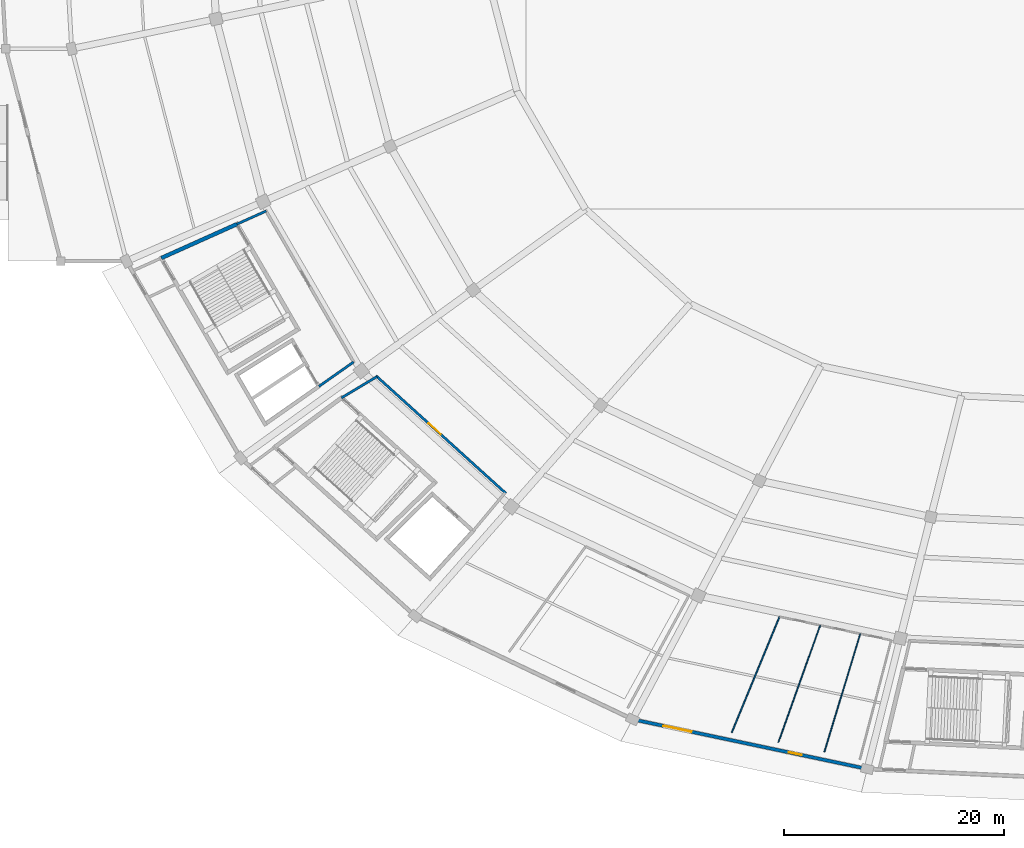
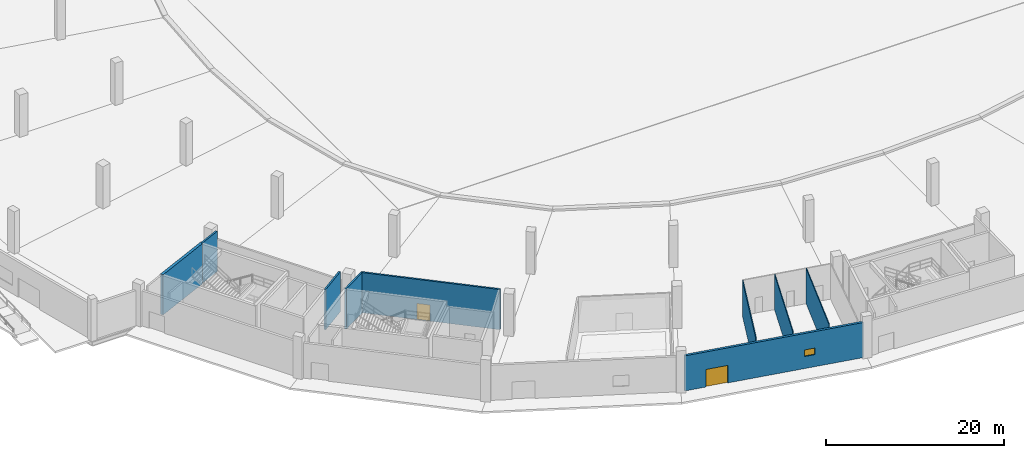
# One storey, part 10 of 48: 9 walls, 2 doors, 1 window, 3 openings.
"""IFC4 building model written with IfcOpenShell, lengths in metres."""

from ifc_helpers import new_model, si_unit, direction, frame, frame_2d, origin, place, context, subcontext, project, spatial, rectangle, extrude, material, layer, layer_set, type_object, element, fill, save


model = new_model("IFC4")

# Units and contexts
model_context = context("Model", 3, precision=1e-05, world=origin(), true_north=direction((0.0, 1.0)))
body_context = subcontext(model_context, "Body", "Model", "MODEL_VIEW")
ifc_project = project(units=[si_unit("LENGTHUNIT", "METRE"), si_unit("AREAUNIT", "SQUARE_METRE"), si_unit("VOLUMEUNIT", "CUBIC_METRE"), si_unit("PLANEANGLEUNIT", "RADIAN"), si_unit("MASSUNIT", "GRAM", prefix="KILO")], contexts=[model_context])

# Site, building, storey
site_placement = place(None, origin())
site = spatial("IfcSite", under=ifc_project, at=site_placement, CompositionType="ELEMENT")
building_placement = place(site_placement, origin())
building = spatial("IfcBuilding", under=site, at=building_placement, Name="Kazemori Nagisa Stadium", CompositionType="ELEMENT")
storey_placement = place(building_placement, origin())
storey = spatial("IfcBuildingStorey", under=building, at=storey_placement, Name="L00", CompositionType="ELEMENT", Elevation=0.0)

# Wall
ifc_material_1 = material(Name="Concrete C40/50 (Fc42)", Category="concrete")
ifc_layer_1 = layer(ifc_material_1, 0.35009765625, Name="Concrete C40/50 (Fc42)", Category="concrete")
ifc_layer_set_1 = layer_set([ifc_layer_1], Name="Concrete C40/50 (Fc42)")
wall_type_1 = type_object("IfcWallType", Name="Wall_W-CORE-350", PredefinedType="SHEAR", material=ifc_layer_set_1)
wall_1_placement = place(storey_placement, frame((44.177978515625, 66.63623046875, 0.0), z_axis=(0.0, 0.0, 1.0), x_axis=(-0.912385324524, -0.409332407212, 0.0)))
element("IfcWall", 1, at=wall_1_placement, inside=storey, type_object=wall_type_1, Name="Core stair left shear wall ST09 L00", PredefinedType="SHEAR", context=body_context, shape_type="SweptSolid", body=[
    extrude(rectangle(XDim=7.554443359375, YDim=0.35009765625, at=frame_2d((3.77734375, 0.0))), origin(), (0.0, 0.0, 1.0), 5.5),
])

# Wall, openings, door, window
ifc_material_2 = material(Name="Concrete C40/50 (Fc42) precast", Category="concrete")
ifc_layer_2 = layer(ifc_material_2, 0.300048828125, Name="Concrete C40/50 (Fc42) precast", Category="concrete")
ifc_layer_set_2 = layer_set([ifc_layer_2], Name="Concrete C40/50 (Fc42) precast")
wall_type_2 = type_object("IfcWallType", Name="Wall_W-EXT-300", PredefinedType="SOLIDWALL", material=ifc_layer_set_2)
wall_2_placement = place(storey_placement, frame((80.576904296875, 21.455078125, 0.0), z_axis=(0.0, 0.0, 1.0), x_axis=(0.978345100851, -0.206980346028, 0.0)))
wall_2 = element("IfcWall", 2, at=wall_2_placement, inside=storey, type_object=wall_type_2, Name="Ground exterior entrance wall L00-20", PredefinedType="SOLIDWALL", context=body_context, shape_type="SweptSolid", body=[
    extrude(rectangle(XDim=21.070068359375, YDim=0.300048828125, at=frame_2d((10.53515625, 0.0))), origin(), (0.0, 0.0, 1.0), 4.800048828125),
])
opening_1_placement = place(wall_2_placement, frame((2.492919921875, 0.0, 0.0)))
opening_1 = element("IfcOpeningElement", 3, at=opening_1_placement, cuts=wall_2, Name="Opening D-GATE-2600", PredefinedType="OPENING", context=body_context, shape_type="SweptSolid", body=[
    extrude(rectangle(XDim=2.60009765625, YDim=2.39990234375, at=frame_2d((1.300048828125, 1.199951171875))), frame((0.0, 0.159912109375, 0.0), z_axis=(0.0, -1.0, 0.0), x_axis=(1.0, 0.0, 0.0)), (0.0, 0.0, 1.0), 0.320068359375),
])
opening_2_placement = place(wall_2_placement, frame((14.14892578125, 0.0, 1.64990234375)))
opening_2 = element("IfcOpeningElement", 4, at=opening_2_placement, cuts=wall_2, Name="Opening WIN-WC-1200", PredefinedType="OPENING", context=body_context, shape_type="SweptSolid", body=[
    extrude(rectangle(XDim=1.199951171875, YDim=0.89990234375, at=frame_2d((0.60009765625, 0.449951171875))), frame((0.0, 0.159912109375, 0.0), z_axis=(0.0, -1.0, 0.0), x_axis=(1.0, 0.0, 0.0)), (0.0, 0.0, 1.0), 0.320068359375),
])
ifc_material_3 = material(Name="Anodised aluminium 6063-T5", Category="aluminium")
door_type_1 = type_object("IfcDoorType", Name="Door_D-GATE-2600", OperationType="NOTDEFINED", PredefinedType="DOOR", material=ifc_material_3)
door_1_placement = place(opening_1_placement, frame((2.60009765625, 0.0, 0.0), z_axis=(0.0, 0.0, 1.0), x_axis=(-1.0, 0.0, 0.0)))
door_1 = element("IfcDoor", 5, at=door_1_placement, inside=storey, type_object=door_type_1, Name="Pedestrian exit gate G6", OperationType="DOUBLE_DOOR_SINGLE_SWING", OverallHeight=2.39990234375, OverallWidth=2.60009765625, PredefinedType="DOOR", context=body_context, shape_type="SweptSolid", body=[
    extrude(rectangle(XDim=2.60009765625, YDim=2.39990234375, at=frame_2d((1.300048828125, 1.199951171875))), frame((0.0, 0.02490234375, 0.0), z_axis=(0.0, -1.0, 0.0), x_axis=(1.0, 0.0, 0.0)), (0.0, 0.0, 1.0), 0.050048828125),
])
fill(opening_1, door_1)
ifc_material_4 = material(Name="Low-e laminated double glazing", Category="glass")
window_type = type_object("IfcWindowType", Name="Window_WIN-WC-1200", PartitioningType="SINGLE_PANEL", PredefinedType="WINDOW", material=ifc_material_4)
window_placement = place(opening_2_placement, origin())
window = element("IfcWindow", 6, at=window_placement, inside=storey, type_object=window_type, Name="Sanitary clerestory window L00-20", OverallHeight=0.89990234375, OverallWidth=1.199951171875, PartitioningType="SINGLE_PANEL", PredefinedType="WINDOW", context=body_context, shape_type="SweptSolid", body=[
    extrude(rectangle(XDim=1.199951171875, YDim=0.89990234375, at=frame_2d((0.60009765625, 0.449951171875))), frame((0.0, 0.030029296875, 0.0), z_axis=(0.0, -1.0, 0.0), x_axis=(1.0, 0.0, 0.0)), (0.0, 0.0, 1.0), 0.06005859375),
])
fill(opening_2, window)

# Walls
ifc_material_5 = material(Name="Concrete C36/45 (Fc36)", Category="concrete")
ifc_layer_3 = layer(ifc_material_5, 0.219970703125, Name="Concrete C36/45 (Fc36)", Category="concrete")
ifc_layer_set_3 = layer_set([ifc_layer_3], Name="Concrete C36/45 (Fc36)")
wall_type_3 = type_object("IfcWallType", Name="Wall_W-LOBBY-220", PredefinedType="SOLIDWALL", material=ifc_layer_set_3)
wall_3_placement = place(storey_placement, frame((46.8291015625, 67.82568359375, 0.0), z_axis=(0.0, 0.0, 1.0), x_axis=(-0.912378422162, -0.409347791949, 0.0)))
element("IfcWall", 7, at=wall_3_placement, inside=storey, type_object=wall_type_3, Name="Core lobby left wall ST09 L00", PredefinedType="SOLIDWALL", context=body_context, shape_type="SweptSolid", body=[
    extrude(rectangle(XDim=2.90576171875, YDim=0.219970703125, at=frame_2d((1.452880859375, 0.0))), origin(), (0.0, 0.0, 1.0), 5.5),
])
wall_4_placement = place(storey_placement, frame((54.799560546875, 54.0791015625, 0.0), z_axis=(0.0, 0.0, 1.0), x_axis=(-0.818225400643, -0.574897550649, 0.0)))
element("IfcWall", 8, at=wall_4_placement, inside=storey, type_object=wall_type_3, Name="Core lobby right wall ST09 L00", PredefinedType="SOLIDWALL", context=body_context, shape_type="SweptSolid", body=[
    extrude(rectangle(XDim=3.867919921875, YDim=0.219970703125, at=frame_2d((1.93408203125, 0.0))), origin(), (0.0, 0.0, 1.0), 5.5),
])

# Wall, opening, door
wall_5_placement = place(storey_placement, frame((56.833740234375, 52.8193359375, 0.0), z_axis=(0.0, 0.0, 1.0), x_axis=(0.741351035574, -0.671117457717, 0.0)))
wall_5 = element("IfcWall", 9, at=wall_5_placement, inside=storey, type_object=wall_type_3, Name="Core lobby fire wall ST03 L00", PredefinedType="SOLIDWALL", context=body_context, shape_type="SweptSolid", body=[
    extrude(rectangle(XDim=15.96923828125, YDim=0.219970703125, at=frame_2d((7.984619140625, 0.0))), origin(), (0.0, 0.0, 1.0), 5.5),
])
opening_3_placement = place(wall_5_placement, frame((6.447021484375, 0.0, 0.0)))
opening_3 = element("IfcOpeningElement", 10, at=opening_3_placement, cuts=wall_5, Name="Opening D-FFL-1500", PredefinedType="OPENING", context=body_context, shape_type="SweptSolid", body=[
    extrude(rectangle(XDim=1.5, YDim=2.199951171875, at=frame_2d((0.75, 1.10009765625))), frame((0.0, 0.119873046875, 0.0), z_axis=(0.0, -1.0, 0.0), x_axis=(1.0, 0.0, 0.0)), (0.0, 0.0, 1.0), 0.239990234375),
])
ifc_material_6 = material(Name="Galvanised steel sheet", Category="steel")
door_type_2 = type_object("IfcDoorType", Name="Door_D-FFL-1500", OperationType="NOTDEFINED", PredefinedType="DOOR", material=ifc_material_6)
door_2_placement = place(opening_3_placement, origin())
door_2 = element("IfcDoor", 11, at=door_2_placement, inside=storey, type_object=door_type_2, Name="Protected lobby fire door ST03-L00", OperationType="DOUBLE_DOOR_SINGLE_SWING", OverallHeight=2.199951171875, OverallWidth=1.5, PredefinedType="DOOR", context=body_context, shape_type="SweptSolid", body=[
    extrude(rectangle(XDim=1.5, YDim=2.199951171875, at=frame_2d((0.75, 1.10009765625))), frame((0.0, 0.02490234375, 0.0), z_axis=(0.0, -1.0, 0.0), x_axis=(1.0, 0.0, 0.0)), (0.0, 0.0, 1.0), 0.050048828125),
])
fill(opening_3, door_2)

# Walls
wall_6_placement = place(storey_placement, frame((56.915283203125, 52.74560546875, 0.0), z_axis=(0.0, 0.0, 1.0), x_axis=(-0.857424171966, -0.514610327654, 0.0)))
element("IfcWall", 12, at=wall_6_placement, inside=storey, type_object=wall_type_3, Name="Core lobby left wall ST03 L00", PredefinedType="SOLIDWALL", context=body_context, shape_type="SweptSolid", body=[
    extrude(rectangle(XDim=3.76025390625, YDim=0.219970703125, at=frame_2d((1.880126953125, 0.0))), origin(), (0.0, 0.0, 1.0), 5.5),
])
ifc_material_7 = material(Name="High-pressure phenolic compact laminate", Category="gypsum")
ifc_layer_4 = layer(ifc_material_7, 0.10009765625, Name="High-pressure phenolic compact laminate", Category="gypsum")
ifc_layer_set_4 = layer_set([ifc_layer_4], Name="High-pressure phenolic compact laminate")
wall_type_4 = type_object("IfcWallType", Name="Wall_W-PART-100", PredefinedType="PARTITIONING", material=ifc_layer_set_4)
wall_7_placement = place(storey_placement, frame((97.286865234375, 30.094482421875, 0.0), z_axis=(0.0, 0.0, 1.0), x_axis=(-0.336715047697, -0.941606593358, 0.0)))
element("IfcWall", 13, at=wall_7_placement, inside=storey, type_object=wall_type_4, Name="Sanitary divider partition L00-B20-1", PredefinedType="PARTITIONING", context=body_context, shape_type="SweptSolid", body=[
    extrude(rectangle(XDim=11.313232421875, YDim=0.10009765625, at=frame_2d((5.65673828125, 0.0))), origin(), (0.0, 0.0, 1.0), 4.820068359375),
])
wall_8_placement = place(storey_placement, frame((100.933837890625, 29.322998046875, 0.0), z_axis=(0.0, 0.0, 1.0), x_axis=(-0.290519206841, -0.956869160574, 0.0)))
element("IfcWall", 14, at=wall_8_placement, inside=storey, type_object=wall_type_4, Name="Sanitary divider partition L00-B20-2", PredefinedType="PARTITIONING", context=body_context, shape_type="SweptSolid", body=[
    extrude(rectangle(XDim=11.25244140625, YDim=0.10009765625, at=frame_2d((5.626220703125, 0.0))), origin(), (0.0, 0.0, 1.0), 4.820068359375),
])
ifc_material_8 = material(Name="Moisture-resistant gypsum board", Category="gypsum")
ifc_layer_5 = layer(ifc_material_8, 0.114990234375, Name="Moisture-resistant gypsum board", Category="gypsum")
ifc_layer_set_5 = layer_set([ifc_layer_5], Name="Moisture-resistant gypsum board")
wall_type_5 = type_object("IfcWallType", Name="Wall_W-PART-115", PredefinedType="PARTITIONING", material=ifc_layer_set_5)
wall_9_placement = place(storey_placement, frame((93.58935546875, 30.876708984375, 0.0), z_axis=(0.0, 0.0, 1.0), x_axis=(-0.382141857267, -0.924103674338, 0.0)))
element("IfcWall", 15, at=wall_9_placement, inside=storey, type_object=wall_type_5, Name="Sanitary block L partition L00-B20", PredefinedType="PARTITIONING", context=body_context, shape_type="SweptSolid", body=[
    extrude(rectangle(XDim=11.402099609375, YDim=0.114990234375, at=frame_2d((5.701171875, 0.0))), origin(), (0.0, 0.0, 1.0), 4.820068359375),
])

save(model, "model.ifc")
